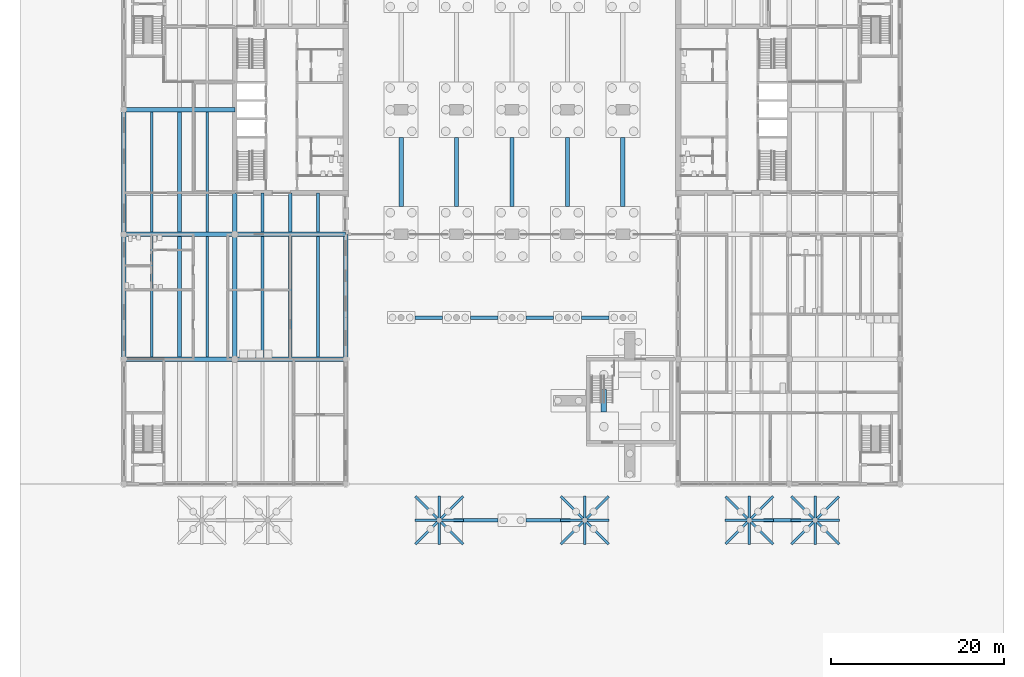
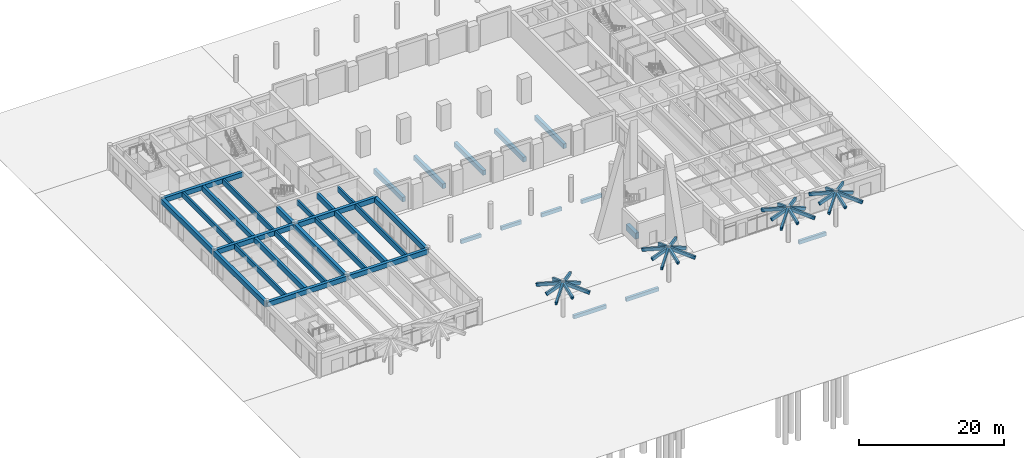
# One storey, part 6 of 28: 67 beams.
"""IFC4 building model written with IfcOpenShell, lengths in metres."""

import ifcopenshell
import ifcopenshell.guid

model = None  # the IFC model being written
_history = None  # IfcOwnerHistory: only IFC2X3 demands one
_inside = {}  # id of a spatial element -> (the spatial element, [elements in it])
_under = {}  # id of a project, library or spatial element -> (it, [spatial elements below it])
_declared = {}  # id of a project -> (the project, [libraries it declares])
_typed = {}  # id of a type object -> (the type object, [elements of that type])
_made_of = {}  # id of a material, layer set ... -> (it, [elements and type objects made of it])


def new_model(schema):
    """Start an empty IFC model of exactly this schema.

    Asked for "IFC4X3", IfcOpenShell would pick the latest addendum, in which some entities
    have other attributes; the version numbers below select the first issue.
    IFC2X3 requires an IfcOwnerHistory on every rooted entity: one is made here for all.
    """
    global model, _history
    if schema == "IFC4X3":
        model = ifcopenshell.file(schema_version=(4, 3, 0, 0))
    else:
        model = ifcopenshell.file(schema=schema)
    _inside.clear()
    _under.clear()
    _declared.clear()
    _typed.clear()
    _made_of.clear()
    _history = None
    if model.schema == "IFC2X3":
        org = make("IfcOrganization", Name="unknown")
        user = make(
            "IfcPersonAndOrganization",
            ThePerson=make("IfcPerson", FamilyName="unknown"),
            TheOrganization=org,
        )
        app = make(
            "IfcApplication",
            ApplicationDeveloper=org,
            Version="unknown",
            ApplicationFullName="unknown",
            ApplicationIdentifier="unknown",
        )
        _history = make(
            "IfcOwnerHistory",
            OwningUser=user,
            OwningApplication=app,
            ChangeAction="ADDED",
            CreationDate=0,
        )
    return model


def make(cls, **values):
    """One entity of the class cls with the attributes given. An attribute that is None is left unset."""
    return model.create_entity(
        cls, **{name: value for name, value in values.items() if value is not None}
    )


def rooted(cls, **values):
    """An entity with a GlobalId (a new one), such as an element, a storey or a relation."""
    return make(cls, GlobalId=ifcopenshell.guid.new(), OwnerHistory=_history, **values)


def si_unit(unit_type, name, prefix=None):
    """IfcSIUnit, for example si_unit("LENGTHUNIT", "METRE", prefix="MILLI")."""
    return make("IfcSIUnit", UnitType=unit_type, Prefix=prefix, Name=name)


def assignment(units):
    """IfcUnitAssignment: the units of a project."""
    return None if units is None else make("IfcUnitAssignment", Units=units)


def point(xyz):
    """IfcCartesianPoint."""
    return None if xyz is None else make("IfcCartesianPoint", Coordinates=xyz)


def direction(xyz):
    """IfcDirection."""
    return None if xyz is None else make("IfcDirection", DirectionRatios=xyz)


def frame(location, z_axis=None, x_axis=None):
    """IfcAxis2Placement3D, a coordinate frame: its origin and axes. An axis left out is left unset."""
    return make(
        "IfcAxis2Placement3D",
        Location=point(location),
        Axis=direction(z_axis),
        RefDirection=direction(x_axis),
    )


def frame_2d(location, x_axis=None):
    """IfcAxis2Placement2D, a coordinate frame in the plane: its origin and x axis."""
    return make(
        "IfcAxis2Placement2D", Location=point(location), RefDirection=direction(x_axis)
    )


def origin():
    """The frame at (0, 0, 0) with its axes left unset."""
    return frame((0.0, 0.0, 0.0))


def origin_2d():
    """The frame at (0, 0) in the plane with its x axis left unset."""
    return frame_2d((0.0, 0.0))


def place(relative_to, where):
    """IfcLocalPlacement: puts the frame where relative to a parent placement (None: the world)."""
    return make(
        "IfcLocalPlacement", PlacementRelTo=relative_to, RelativePlacement=where
    )


def context(
    kind, dimensions, precision=None, world=None, true_north=None, identifier=None
):
    """IfcGeometricRepresentationContext, for example the 3D "Model" context."""
    return make(
        "IfcGeometricRepresentationContext",
        ContextIdentifier=identifier,
        ContextType=kind,
        CoordinateSpaceDimension=dimensions,
        Precision=precision,
        WorldCoordinateSystem=world,
        TrueNorth=true_north,
    )


def subcontext(parent, identifier, kind, view, scale=None):
    """IfcGeometricRepresentationSubContext, for example "Body" below "Model"."""
    return make(
        "IfcGeometricRepresentationSubContext",
        ContextIdentifier=identifier,
        ContextType=kind,
        ParentContext=parent,
        TargetScale=scale,
        TargetView=view,
    )


def project(units=None, contexts=None):
    """IfcProject with its units and contexts."""
    return rooted(
        "IfcProject",
        Name="project",
        RepresentationContexts=contexts,
        UnitsInContext=assignment(units),
    )


def spatial(cls, under=None, at=None, **own):
    """A site, building, storey or space (cls), placed at a placement, below another one or the project."""
    s = rooted(cls, ObjectPlacement=at, **own)
    if under is not None:
        _under.setdefault(under.id(), (under, []))[1].append(s)
    return s


def profile(cls, at=None, kind="AREA", **sizes):
    """A parametric profile (cls). Its sizes go by their IFC names, for example OverallWidth=200.0."""
    return make(cls, ProfileType=kind, Position=at, **sizes)


def rectangle(**sizes):
    """IfcRectangleProfileDef."""
    return profile("IfcRectangleProfileDef", **sizes)


def extrude(swept, where, along, depth):
    """IfcExtrudedAreaSolid: the profile swept, set in the frame where, extruded along a direction by depth."""
    return make(
        "IfcExtrudedAreaSolid",
        SweptArea=swept,
        Position=where,
        ExtrudedDirection=direction(along),
        Depth=depth,
    )


def shape(context_of_items, identifier, shape_type, items):
    """IfcShapeRepresentation: the items that make up one representation, for example the "Body"."""
    return make(
        "IfcShapeRepresentation",
        ContextOfItems=context_of_items,
        RepresentationIdentifier=identifier,
        RepresentationType=shape_type,
        Items=items,
    )


def material(Name=None, Category=None):
    """IfcMaterial."""
    return make("IfcMaterial", Name=Name, Category=Category)


def material_profile(
    of_material, cross_section, Name=None, Category=None, Priority=None
):
    """IfcMaterialProfile: a cross section and its material."""
    return make(
        "IfcMaterialProfile",
        Name=Name,
        Material=of_material,
        Profile=cross_section,
        Priority=Priority,
        Category=Category,
    )


def profile_set(profiles, Name=None, composite=None):
    """IfcMaterialProfileSet."""
    return make(
        "IfcMaterialProfileSet",
        Name=Name,
        MaterialProfiles=profiles,
        CompositeProfile=composite,
    )


def made_of(thing, what):
    """Note that an element or type object is made of a material, layer set ...; save() writes the relation."""
    if what is not None:
        _made_of.setdefault(what.id(), (what, []))[1].append(thing)
    return thing


def type_object(cls, material=None, **own):
    """A type object (cls), such as IfcWallType, which elements share."""
    return made_of(rooted(cls, **own), material)


def element(
    cls,
    number,
    at=None,
    inside=None,
    cuts=None,
    type_object=None,
    material=None,
    context=None,
    identifier="Body",
    shape_type=None,
    held_by="IfcProductDefinitionShape",
    body=None,
    shapes=None,
    **own,
):
    """One element of the class cls, such as IfcWall. Its Tag is "e" and its number.

    at: its placement. inside: the storey or other place that contains it. cuts: it is an
    opening in that element (IfcRelVoidsElement). A single representation is given by context,
    identifier, shape_type and body (its items); several are given by shapes. held_by: the class
    of the entity that holds the representations. save() writes the other relations.
    """
    e = rooted(cls, Tag="e%d" % number, ObjectPlacement=at, **own)
    if body is not None:
        shapes = [shape(context, identifier, shape_type, body)]
    if shapes is not None:
        e.Representation = make(held_by, Representations=shapes)
    if inside is not None:
        _inside.setdefault(inside.id(), (inside, []))[1].append(e)
    if cuts is not None:
        rooted(
            "IfcRelVoidsElement", RelatingBuildingElement=cuts, RelatedOpeningElement=e
        )
    if type_object is not None:
        _typed.setdefault(type_object.id(), (type_object, []))[1].append(e)
    return made_of(e, material)


def aggregate(whole, parts):
    """IfcRelAggregates: a whole, such as a stair, and the parts it consists of."""
    return rooted("IfcRelAggregates", RelatingObject=whole, RelatedObjects=parts)


def save(model, path):
    """Write the relations noted so far, then the file.

    IfcRelAggregates (storeys below a building ...), IfcRelContainedInSpatialStructure (elements
    in a storey), IfcRelDefinesByType, IfcRelAssociatesMaterial and IfcRelDeclares: one each for
    every whole, place, type object, material and project.
    """
    for whole, parts in _under.values():
        aggregate(whole, parts)
    for where, things in _inside.values():
        rooted(
            "IfcRelContainedInSpatialStructure",
            RelatedElements=things,
            RelatingStructure=where,
        )
    for kind, things in _typed.values():
        rooted("IfcRelDefinesByType", RelatedObjects=things, RelatingType=kind)
    for what, things in _made_of.values():
        rooted("IfcRelAssociatesMaterial", RelatedObjects=things, RelatingMaterial=what)
    for by, libraries in _declared.values():
        rooted("IfcRelDeclares", RelatingContext=by, RelatedDefinitions=libraries)
    model.write(path)


model = new_model("IFC4")

# Units and contexts
model_context = context("Model", 3, precision=1e-05, world=origin(), true_north=direction((0.0, 1.0)))
body_context = subcontext(model_context, "Body", "Model", "MODEL_VIEW")
ifc_project = project(units=[si_unit("LENGTHUNIT", "METRE"), si_unit("AREAUNIT", "SQUARE_METRE"), si_unit("VOLUMEUNIT", "CUBIC_METRE"), si_unit("PLANEANGLEUNIT", "RADIAN"), si_unit("MASSUNIT", "GRAM", prefix="KILO")], contexts=[model_context])

# Site, building, storey
site_placement = place(None, origin())
site = spatial("IfcSite", under=ifc_project, at=site_placement, CompositionType="ELEMENT")
building_placement = place(site_placement, origin())
building = spatial("IfcBuilding", under=site, at=building_placement, Name="Fogon Plaza Fire Station and Headquarters Tower", CompositionType="ELEMENT")
storey_placement = place(building_placement, origin())
storey = spatial("IfcBuildingStorey", under=building, at=storey_placement, Name="L00", CompositionType="ELEMENT", Elevation=0.0)

# Beams
ifc_material_1 = material(Name="Concrete C40", Category="concrete")
ifc_material_profile_1 = material_profile(ifc_material_1, rectangle(XDim=0.300048828125, YDim=0.5, at=origin_2d()), Name="RC 300x500")
ifc_profile_set_1 = profile_set([ifc_material_profile_1], Name="Concrete C40")
beam_type_1 = type_object("IfcBeamType", Name="BEAM RC 300x500", PredefinedType="BEAM", material=ifc_profile_set_1)
beam_1_placement = place(storey_placement, frame((36.39990234375, -4.199951171875, 5.6201171875), z_axis=(-0.684036905099, -0.684036905099, -0.253351583623), x_axis=(0.707106781187, -0.707106781187, 0.0)))
element("IfcBeam", 1, at=beam_1_placement, inside=storey, type_object=beam_type_1, Name="beam-L00-U3-1", PredefinedType="BEAM", context=body_context, shape_type="SweptSolid", body=[
    extrude(rectangle(XDim=0.300048828125, YDim=0.5, at=origin_2d()), origin(), (0.0, 0.0, 1.0), 3.947021484375),
])
for number, where, z_axis, x_axis, name in (
    (2, (36.39990234375, -4.199951171875, 5.6201171875), (0.684069814811, -0.684007964014, -0.253340864509), (0.707074812166, 0.707138748762, 0.0), "beam-L00-U3-2"),
    (3, (36.39990234375, -4.199951171875, 5.6201171875), (0.684069814811, 0.684007964014, -0.253340864509), (-0.707074812166, 0.707138748762, 0.0), "beam-L00-U3-3"),
):
    element("IfcBeam", number, at=place(storey_placement, frame(where, z_axis=z_axis, x_axis=x_axis)), inside=storey, type_object=beam_type_1, Name=name, PredefinedType="BEAM", context=body_context, shape_type="SweptSolid", body=[
        extrude(rectangle(XDim=0.300048828125, YDim=0.5, at=origin_2d()), origin(), (0.0, 0.0, 1.0), 3.947265625),
    ])
beam_2_placement = place(storey_placement, frame((36.39990234375, -4.199951171875, 5.6201171875), z_axis=(-0.684036905099, 0.684036905099, -0.253351583623), x_axis=(-0.707106781187, -0.707106781187, 0.0)))
element("IfcBeam", 4, at=beam_2_placement, inside=storey, type_object=beam_type_1, Name="beam-L00-U3-4", PredefinedType="BEAM", context=body_context, shape_type="SweptSolid", body=[
    extrude(rectangle(XDim=0.300048828125, YDim=0.5, at=origin_2d()), origin(), (0.0, 0.0, 1.0), 3.947021484375),
])
beam_3_placement = place(storey_placement, frame((36.39990234375, -4.199951171875, 5.6201171875), z_axis=(0.0, -0.937746714992, -0.347319879248), x_axis=(1.0, 0.0, 0.0)))
element("IfcBeam", 5, at=beam_3_placement, inside=storey, type_object=beam_type_1, Name="beam-L00-U3-5", PredefinedType="BEAM", context=body_context, shape_type="SweptSolid", body=[
    extrude(rectangle(XDim=0.300048828125, YDim=0.5, at=origin_2d()), origin(), (0.0, 0.0, 1.0), 2.879150390625),
])
beam_4_placement = place(storey_placement, frame((36.39990234375, -4.199951171875, 5.6201171875), z_axis=(0.937756942673, 0.0, -0.34729226376), x_axis=(0.0, 1.0, 0.0)))
element("IfcBeam", 6, at=beam_4_placement, inside=storey, type_object=beam_type_1, Name="beam-L00-U3-6", PredefinedType="BEAM", context=body_context, shape_type="SweptSolid", body=[
    extrude(rectangle(XDim=0.300048828125, YDim=0.5, at=origin_2d()), origin(), (0.0, 0.0, 1.0), 2.87939453125),
])
for number, where, z_axis, x_axis, name in (
    (7, (36.39990234375, -4.199951171875, 5.6201171875), (0.0, 0.937746714992, -0.347319879248), (-1.0, 0.0, 0.0), "beam-L00-U3-7"),
    (8, (36.39990234375, -4.199951171875, 5.6201171875), (-0.937746714992, 0.0, -0.347319879248), (0.0, -1.0, 0.0), "beam-L00-U3-8"),
):
    element("IfcBeam", number, at=place(storey_placement, frame(where, z_axis=z_axis, x_axis=x_axis)), inside=storey, type_object=beam_type_1, Name=name, PredefinedType="BEAM", context=body_context, shape_type="SweptSolid", body=[
        extrude(rectangle(XDim=0.300048828125, YDim=0.5, at=origin_2d()), origin(), (0.0, 0.0, 1.0), 2.879150390625),
    ])
for number, where, z_axis, x_axis, name in (
    (9, (53.199951171875, -4.199951171875, 5.6201171875), (-0.684036905099, -0.684036905099, -0.253351583623), (0.707106781187, -0.707106781187, 0.0), "beam-L00-U4-1"),
    (10, (53.199951171875, -4.199951171875, 5.6201171875), (0.684036905099, -0.684036905099, -0.253351583623), (0.707106781187, 0.707106781187, 0.0), "beam-L00-U4-2"),
    (11, (53.199951171875, -4.199951171875, 5.6201171875), (0.684036905099, 0.684036905099, -0.253351583623), (-0.707106781187, 0.707106781187, 0.0), "beam-L00-U4-3"),
    (12, (53.199951171875, -4.199951171875, 5.6201171875), (-0.684036905099, 0.684036905099, -0.253351583623), (-0.707106781187, -0.707106781187, 0.0), "beam-L00-U4-4"),
):
    element("IfcBeam", number, at=place(storey_placement, frame(where, z_axis=z_axis, x_axis=x_axis)), inside=storey, type_object=beam_type_1, Name=name, PredefinedType="BEAM", context=body_context, shape_type="SweptSolid", body=[
        extrude(rectangle(XDim=0.300048828125, YDim=0.5, at=origin_2d()), origin(), (0.0, 0.0, 1.0), 3.947021484375),
    ])
for number, where, z_axis, x_axis, name in (
    (13, (53.199951171875, -4.199951171875, 5.6201171875), (0.0, -0.937746714992, -0.347319879248), (1.0, 0.0, 0.0), "beam-L00-U4-5"),
    (14, (53.199951171875, -4.199951171875, 5.6201171875), (0.937746714992, 0.0, -0.347319879248), (0.0, 1.0, 0.0), "beam-L00-U4-6"),
    (15, (53.199951171875, -4.199951171875, 5.6201171875), (0.0, 0.937746714992, -0.347319879248), (-1.0, 0.0, 0.0), "beam-L00-U4-7"),
    (16, (53.199951171875, -4.199951171875, 5.6201171875), (-0.937746714992, 0.0, -0.347319879248), (0.0, -1.0, 0.0), "beam-L00-U4-8"),
):
    element("IfcBeam", number, at=place(storey_placement, frame(where, z_axis=z_axis, x_axis=x_axis)), inside=storey, type_object=beam_type_1, Name=name, PredefinedType="BEAM", context=body_context, shape_type="SweptSolid", body=[
        extrude(rectangle(XDim=0.300048828125, YDim=0.5, at=origin_2d()), origin(), (0.0, 0.0, 1.0), 2.879150390625),
    ])
for number, where, z_axis, x_axis, name in (
    (17, (72.199951171875, -4.199951171875, 5.6201171875), (-0.684036905099, -0.684036905099, -0.253351583623), (0.707106781187, -0.707106781187, 0.0), "beam-L00-U5-1"),
    (18, (72.199951171875, -4.199951171875, 5.6201171875), (0.684036905099, -0.684036905099, -0.253351583623), (0.707106781187, 0.707106781187, 0.0), "beam-L00-U5-2"),
    (19, (72.199951171875, -4.199951171875, 5.6201171875), (0.684036905099, 0.684036905099, -0.253351583623), (-0.707106781187, 0.707106781187, 0.0), "beam-L00-U5-3"),
    (20, (72.199951171875, -4.199951171875, 5.6201171875), (-0.684036905099, 0.684036905099, -0.253351583623), (-0.707106781187, -0.707106781187, 0.0), "beam-L00-U5-4"),
):
    element("IfcBeam", number, at=place(storey_placement, frame(where, z_axis=z_axis, x_axis=x_axis)), inside=storey, type_object=beam_type_1, Name=name, PredefinedType="BEAM", context=body_context, shape_type="SweptSolid", body=[
        extrude(rectangle(XDim=0.300048828125, YDim=0.5, at=origin_2d()), origin(), (0.0, 0.0, 1.0), 3.947021484375),
    ])
for number, where, z_axis, x_axis, name in (
    (21, (72.199951171875, -4.199951171875, 5.6201171875), (0.0, -0.937746714992, -0.347319879248), (1.0, 0.0, 0.0), "beam-L00-U5-5"),
    (22, (72.199951171875, -4.199951171875, 5.6201171875), (0.937746714992, 0.0, -0.347319879248), (0.0, 1.0, 0.0), "beam-L00-U5-6"),
    (23, (72.199951171875, -4.199951171875, 5.6201171875), (0.0, 0.937746714992, -0.347319879248), (-1.0, 0.0, 0.0), "beam-L00-U5-7"),
    (24, (72.199951171875, -4.199951171875, 5.6201171875), (-0.937746714992, 0.0, -0.347319879248), (0.0, -1.0, 0.0), "beam-L00-U5-8"),
):
    element("IfcBeam", number, at=place(storey_placement, frame(where, z_axis=z_axis, x_axis=x_axis)), inside=storey, type_object=beam_type_1, Name=name, PredefinedType="BEAM", context=body_context, shape_type="SweptSolid", body=[
        extrude(rectangle(XDim=0.300048828125, YDim=0.5, at=origin_2d()), origin(), (0.0, 0.0, 1.0), 2.879150390625),
    ])
for number, where, z_axis, x_axis, name in (
    (25, (79.800048828125, -4.199951171875, 5.6201171875), (-0.684036905099, -0.684036905099, -0.253351583623), (0.707106781187, -0.707106781187, 0.0), "beam-L00-U6-1"),
    (26, (79.800048828125, -4.199951171875, 5.6201171875), (0.684036905099, -0.684036905099, -0.253351583623), (0.707106781187, 0.707106781187, 0.0), "beam-L00-U6-2"),
    (27, (79.800048828125, -4.199951171875, 5.6201171875), (0.684036905099, 0.684036905099, -0.253351583623), (-0.707106781187, 0.707106781187, 0.0), "beam-L00-U6-3"),
    (28, (79.800048828125, -4.199951171875, 5.6201171875), (-0.684036905099, 0.684036905099, -0.253351583623), (-0.707106781187, -0.707106781187, 0.0), "beam-L00-U6-4"),
):
    element("IfcBeam", number, at=place(storey_placement, frame(where, z_axis=z_axis, x_axis=x_axis)), inside=storey, type_object=beam_type_1, Name=name, PredefinedType="BEAM", context=body_context, shape_type="SweptSolid", body=[
        extrude(rectangle(XDim=0.300048828125, YDim=0.5, at=origin_2d()), origin(), (0.0, 0.0, 1.0), 3.947021484375),
    ])
for number, where, z_axis, x_axis, name in (
    (29, (79.800048828125, -4.199951171875, 5.6201171875), (0.0, -0.937746714992, -0.347319879248), (1.0, 0.0, 0.0), "beam-L00-U6-5"),
    (30, (79.800048828125, -4.199951171875, 5.6201171875), (0.937746714992, 0.0, -0.347319879248), (0.0, 1.0, 0.0), "beam-L00-U6-6"),
    (31, (79.800048828125, -4.199951171875, 5.6201171875), (0.0, 0.937746714992, -0.347319879248), (-1.0, 0.0, 0.0), "beam-L00-U6-7"),
    (32, (79.800048828125, -4.199951171875, 5.6201171875), (-0.937746714992, 0.0, -0.347319879248), (0.0, -1.0, 0.0), "beam-L00-U6-8"),
):
    element("IfcBeam", number, at=place(storey_placement, frame(where, z_axis=z_axis, x_axis=x_axis)), inside=storey, type_object=beam_type_1, Name=name, PredefinedType="BEAM", context=body_context, shape_type="SweptSolid", body=[
        extrude(rectangle(XDim=0.300048828125, YDim=0.5, at=origin_2d()), origin(), (0.0, 0.0, 1.0), 2.879150390625),
    ])
ifc_material_2 = material(Name="Concrete C40", Category="concrete")
ifc_material_profile_2 = material_profile(ifc_material_2, rectangle(XDim=0.5, YDim=0.800048828125, at=origin_2d()), Name="RC 500x800")
ifc_profile_set_2 = profile_set([ifc_material_profile_2], Name="Concrete C40")
beam_type_2 = type_object("IfcBeamType", Name="BEAM RC 500x800", PredefinedType="BEAM", material=ifc_profile_set_2)
for number, where, z_axis, x_axis, name in (
    (33, (0.0, 14.39990234375, 3.5), (1.0, 0.0, 0.0), (0.0, 1.0, 0.0), "beam-L00-005"),
    (34, (12.800048828125, 14.39990234375, 3.5), (1.0, 0.0, 0.0), (0.0, 1.0, 0.0), "beam-L00-007"),
    (35, (0.0, 28.800048828125, 3.5), (1.0, 0.0, 0.0), (0.0, 1.0, 0.0), "beam-L00-009"),
    (36, (12.800048828125, 28.800048828125, 3.5), (1.0, 0.0, 0.0), (0.0, 1.0, 0.0), "beam-L00-011"),
    (37, (0.0, 43.199951171875, 3.5), (1.0, 0.0, 0.0), (0.0, 1.0, 0.0), "beam-L00-013"),
):
    element("IfcBeam", number, at=place(storey_placement, frame(where, z_axis=z_axis, x_axis=x_axis)), inside=storey, type_object=beam_type_2, Name=name, PredefinedType="BEAM", context=body_context, shape_type="SweptSolid", body=[
        extrude(rectangle(XDim=0.5, YDim=0.800048828125, at=origin_2d()), origin(), (0.0, 0.0, 1.0), 12.800048828125),
    ])
ifc_material_3 = material(Name="Concrete C40", Category="concrete")
ifc_material_profile_3 = material_profile(ifc_material_3, rectangle(XDim=0.5, YDim=0.89990234375, at=origin_2d()), Name="RC 500x900")
ifc_profile_set_3 = profile_set([ifc_material_profile_3], Name="Concrete C40")
beam_type_3 = type_object("IfcBeamType", Name="BEAM RC 500x900", PredefinedType="BEAM", material=ifc_profile_set_3)
beam_5_placement = place(storey_placement, frame((0.0, 14.39990234375, 3.449951171875), z_axis=(0.0, 1.0, 0.0), x_axis=(-1.0, 0.0, 0.0)))
element("IfcBeam", 38, at=beam_5_placement, inside=storey, type_object=beam_type_3, Name="beam-L00-021", PredefinedType="BEAM", context=body_context, shape_type="SweptSolid", body=[
    extrude(rectangle(XDim=0.5, YDim=0.89990234375, at=origin_2d()), origin(), (0.0, 0.0, 1.0), 14.400146484375),
])
beam_6_placement = place(storey_placement, frame((0.0, 28.800048828125, 3.449951171875), z_axis=(0.0, 1.0, 0.0), x_axis=(-1.0, 0.0, 0.0)))
element("IfcBeam", 39, at=beam_6_placement, inside=storey, type_object=beam_type_3, Name="beam-L00-023", PredefinedType="BEAM", context=body_context, shape_type="SweptSolid", body=[
    extrude(rectangle(XDim=0.5, YDim=0.89990234375, at=origin_2d()), origin(), (0.0, 0.0, 1.0), 14.39990234375),
])
for number, where, z_axis, x_axis, name in (
    (40, (12.800048828125, 14.39990234375, 3.449951171875), (0.0, 1.0, 0.0), (-1.0, 0.0, 0.0), "beam-L00-029"),
    (41, (25.60009765625, 14.39990234375, 3.449951171875), (0.0, 1.0, 0.0), (-1.0, 0.0, 0.0), "beam-L00-033"),
):
    element("IfcBeam", number, at=place(storey_placement, frame(where, z_axis=z_axis, x_axis=x_axis)), inside=storey, type_object=beam_type_3, Name=name, PredefinedType="BEAM", context=body_context, shape_type="SweptSolid", body=[
        extrude(rectangle(XDim=0.5, YDim=0.89990234375, at=origin_2d()), origin(), (0.0, 0.0, 1.0), 14.400146484375),
    ])
ifc_material_4 = material(Name="Concrete C40", Category="concrete")
ifc_material_profile_4 = material_profile(ifc_material_4, rectangle(XDim=0.5, YDim=0.89990234375, at=origin_2d()), Name="RC 500x900")
ifc_profile_set_4 = profile_set([ifc_material_profile_4], Name="Concrete C40")
beam_type_4 = type_object("IfcBeamType", Name="BEAM RC 500x900 SPAN 3.0 TO 4.8 M", PredefinedType="BEAM", material=ifc_profile_set_4)
beam_7_placement = place(storey_placement, frame((12.800048828125, 28.800048828125, 3.449951171875), z_axis=(0.0, 1.0, 0.0), x_axis=(-1.0, 0.0, 0.0)))
element("IfcBeam", 42, at=beam_7_placement, inside=storey, type_object=beam_type_4, Name="beam-L00-035", PredefinedType="BEAM", context=body_context, shape_type="SweptSolid", body=[
    extrude(rectangle(XDim=0.5, YDim=0.89990234375, at=origin_2d()), origin(), (0.0, 0.0, 1.0), 4.800048828125),
])
ifc_material_5 = material(Name="Concrete C40", Category="concrete")
ifc_material_profile_5 = material_profile(ifc_material_5, rectangle(XDim=0.60009765625, YDim=1.0, at=origin_2d()), Name="RC 600x1000")
ifc_profile_set_5 = profile_set([ifc_material_profile_5], Name="Concrete C40")
beam_type_5 = type_object("IfcBeamType", Name="BEAM RC 600x1000", PredefinedType="BEAM", material=ifc_profile_set_5)
beam_8_placement = place(storey_placement, frame((55.39990234375, 8.300048828125, -0.75), z_axis=(0.0, 1.0, 0.0), x_axis=(-1.0, 0.0, 0.0)))
element("IfcBeam", 43, at=beam_8_placement, inside=storey, type_object=beam_type_5, Name="beam-L00-TD3", PredefinedType="BEAM", context=body_context, shape_type="SweptSolid", body=[
    extrude(rectangle(XDim=0.60009765625, YDim=1.0, at=origin_2d()), origin(), (0.0, 0.0, 1.0), 2.599853515625),
])
ifc_material_6 = material(Name="Concrete C40", Category="concrete")
ifc_material_profile_6 = material_profile(ifc_material_6, rectangle(XDim=0.39990234375, YDim=0.60009765625, at=origin_2d()), Name="RC 400x600")
ifc_profile_set_6 = profile_set([ifc_material_profile_6], Name="Concrete C40")
beam_type_6 = type_object("IfcBeamType", Name="GROUND TIE RC 400x600", PredefinedType="BEAM", material=ifc_profile_set_6)
for number, where, z_axis, x_axis, name in (
    (44, (33.60009765625, 19.199951171875, -0.699951171875), (1.0, 0.0, 0.0), (0.0, 1.0, 0.0), "beam-L00-TB017"),
    (45, (40.0, 19.199951171875, -0.699951171875), (1.0, 0.0, 0.0), (0.0, 1.0, 0.0), "beam-L00-TB018"),
):
    element("IfcBeam", number, at=place(storey_placement, frame(where, z_axis=z_axis, x_axis=x_axis)), inside=storey, type_object=beam_type_6, Name=name, PredefinedType="BEAM", context=body_context, shape_type="SweptSolid", body=[
        extrude(rectangle(XDim=0.39990234375, YDim=0.60009765625, at=origin_2d()), origin(), (0.0, 0.0, 1.0), 3.199951171875),
    ])
beam_9_placement = place(storey_placement, frame((46.39990234375, 19.199951171875, -0.699951171875), z_axis=(1.0, 0.0, 0.0), x_axis=(0.0, 1.0, 0.0)))
element("IfcBeam", 46, at=beam_9_placement, inside=storey, type_object=beam_type_6, Name="beam-L00-TB019", PredefinedType="BEAM", context=body_context, shape_type="SweptSolid", body=[
    extrude(rectangle(XDim=0.39990234375, YDim=0.60009765625, at=origin_2d()), origin(), (0.0, 0.0, 1.0), 3.2001953125),
])
beam_10_placement = place(storey_placement, frame((52.800048828125, 19.199951171875, -0.699951171875), z_axis=(1.0, 0.0, 0.0), x_axis=(0.0, 1.0, 0.0)))
element("IfcBeam", 47, at=beam_10_placement, inside=storey, type_object=beam_type_6, Name="beam-L00-TB020", PredefinedType="BEAM", context=body_context, shape_type="SweptSolid", body=[
    extrude(rectangle(XDim=0.39990234375, YDim=0.60009765625, at=origin_2d()), origin(), (0.0, 0.0, 1.0), 3.199951171875),
])
ifc_material_7 = material(Name="Concrete C40", Category="concrete")
ifc_material_profile_7 = material_profile(ifc_material_7, rectangle(XDim=0.5, YDim=0.800048828125, at=origin_2d()), Name="RC 500x800")
ifc_profile_set_7 = profile_set([ifc_material_profile_7], Name="Concrete C40")
beam_type_7 = type_object("IfcBeamType", Name="GROUND TIE RC 500x800", PredefinedType="BEAM", material=ifc_profile_set_7)
for number, where, z_axis, x_axis, name in (
    (48, (32.0, 32.0, -0.800048828125), (0.0, 1.0, 0.0), (-1.0, 0.0, 0.0), "beam-L00-TB001"),
    (49, (38.39990234375, 32.0, -0.800048828125), (0.0, 1.0, 0.0), (-1.0, 0.0, 0.0), "beam-L00-TB003"),
    (50, (44.800048828125, 32.0, -0.800048828125), (0.0, 1.0, 0.0), (-1.0, 0.0, 0.0), "beam-L00-TB005"),
    (51, (51.199951171875, 32.0, -0.800048828125), (0.0, 1.0, 0.0), (-1.0, 0.0, 0.0), "beam-L00-TB007"),
    (52, (57.60009765625, 32.0, -0.800048828125), (0.0, 1.0, 0.0), (-1.0, 0.0, 0.0), "beam-L00-TB009"),
):
    element("IfcBeam", number, at=place(storey_placement, frame(where, z_axis=z_axis, x_axis=x_axis)), inside=storey, type_object=beam_type_7, Name=name, PredefinedType="BEAM", context=body_context, shape_type="SweptSolid", body=[
        extrude(rectangle(XDim=0.5, YDim=0.800048828125, at=origin_2d()), origin(), (0.0, 0.0, 1.0), 8.0),
    ])
ifc_material_8 = material(Name="Concrete C40", Category="concrete")
ifc_material_profile_8 = material_profile(ifc_material_8, rectangle(XDim=0.300048828125, YDim=0.89990234375, at=origin_2d()), Name="RC 300x900")
ifc_profile_set_8 = profile_set([ifc_material_profile_8], Name="Concrete C40")
beam_type_8 = type_object("IfcBeamType", Name="JOIST RC 300x900", PredefinedType="JOIST", material=ifc_profile_set_8)
beam_11_placement = place(storey_placement, frame((3.199951171875, 14.64990234375, 3.449951171875), z_axis=(0.0, 1.0, 0.0), x_axis=(-1.0, 0.0, 0.0)))
element("IfcBeam", 53, at=beam_11_placement, inside=storey, type_object=beam_type_8, Name="beam-L00-055", PredefinedType="JOIST", context=body_context, shape_type="SweptSolid", body=[
    extrude(rectangle(XDim=0.300048828125, YDim=0.89990234375, at=origin_2d()), origin(), (0.0, 0.0, 1.0), 13.900146484375),
])
beam_12_placement = place(storey_placement, frame((3.199951171875, 29.050048828125, 3.449951171875), z_axis=(0.0, 1.0, 0.0), x_axis=(-1.0, 0.0, 0.0)))
element("IfcBeam", 54, at=beam_12_placement, inside=storey, type_object=beam_type_8, Name="beam-L00-057", PredefinedType="JOIST", context=body_context, shape_type="SweptSolid", body=[
    extrude(rectangle(XDim=0.300048828125, YDim=0.89990234375, at=origin_2d()), origin(), (0.0, 0.0, 1.0), 13.89990234375),
])
beam_13_placement = place(storey_placement, frame((9.60009765625, 14.64990234375, 3.449951171875), z_axis=(0.0, 1.0, 0.0), x_axis=(-1.0, 0.0, 0.0)))
element("IfcBeam", 55, at=beam_13_placement, inside=storey, type_object=beam_type_8, Name="beam-L00-061", PredefinedType="JOIST", context=body_context, shape_type="SweptSolid", body=[
    extrude(rectangle(XDim=0.300048828125, YDim=0.89990234375, at=origin_2d()), origin(), (0.0, 0.0, 1.0), 13.900146484375),
])
beam_14_placement = place(storey_placement, frame((9.60009765625, 29.050048828125, 3.449951171875), z_axis=(0.0, 1.0, 0.0), x_axis=(-1.0, 0.0, 0.0)))
element("IfcBeam", 56, at=beam_14_placement, inside=storey, type_object=beam_type_8, Name="beam-L00-063", PredefinedType="JOIST", context=body_context, shape_type="SweptSolid", body=[
    extrude(rectangle(XDim=0.300048828125, YDim=0.89990234375, at=origin_2d()), origin(), (0.0, 0.0, 1.0), 13.89990234375),
])
for number, where, z_axis, x_axis, name in (
    (57, (16.0, 14.64990234375, 3.449951171875), (0.0, 1.0, 0.0), (-1.0, 0.0, 0.0), "beam-L00-069"),
    (58, (22.39990234375, 14.64990234375, 3.449951171875), (0.0, 1.0, 0.0), (-1.0, 0.0, 0.0), "beam-L00-077"),
):
    element("IfcBeam", number, at=place(storey_placement, frame(where, z_axis=z_axis, x_axis=x_axis)), inside=storey, type_object=beam_type_8, Name=name, PredefinedType="JOIST", context=body_context, shape_type="SweptSolid", body=[
        extrude(rectangle(XDim=0.300048828125, YDim=0.89990234375, at=origin_2d()), origin(), (0.0, 0.0, 1.0), 13.900146484375),
    ])
ifc_material_9 = material(Name="Concrete C40", Category="concrete")
ifc_material_profile_9 = material_profile(ifc_material_9, rectangle(XDim=0.300048828125, YDim=0.89990234375, at=origin_2d()), Name="RC 300x900")
ifc_profile_set_9 = profile_set([ifc_material_profile_9], Name="Concrete C40")
beam_type_9 = type_object("IfcBeamType", Name="JOIST RC 300x900 SPAN 3.0 TO 4.8 M", PredefinedType="JOIST", material=ifc_profile_set_9)
for number, where, z_axis, x_axis, name in (
    (59, (16.0, 29.050048828125, 3.449951171875), (0.0, 1.0, 0.0), (-1.0, 0.0, 0.0), "beam-L00-071"),
    (60, (22.39990234375, 29.050048828125, 3.449951171875), (0.0, 1.0, 0.0), (-1.0, 0.0, 0.0), "beam-L00-079"),
):
    element("IfcBeam", number, at=place(storey_placement, frame(where, z_axis=z_axis, x_axis=x_axis)), inside=storey, type_object=beam_type_9, Name=name, PredefinedType="JOIST", context=body_context, shape_type="SweptSolid", body=[
        extrude(rectangle(XDim=0.300048828125, YDim=0.89990234375, at=origin_2d()), origin(), (0.0, 0.0, 1.0), 4.550048828125),
    ])
ifc_material_10 = material(Name="Concrete C40", Category="concrete")
ifc_material_profile_10 = material_profile(ifc_material_10, rectangle(XDim=0.449951171875, YDim=0.89990234375, at=origin_2d()), Name="RC 450x900")
ifc_profile_set_10 = profile_set([ifc_material_profile_10], Name="Concrete C40")
beam_type_10 = type_object("IfcBeamType", Name="JOIST RC 450x900", PredefinedType="JOIST", material=ifc_profile_set_10)
beam_15_placement = place(storey_placement, frame((6.39990234375, 14.64990234375, 3.449951171875), z_axis=(0.0, 1.0, 0.0), x_axis=(-1.0, 0.0, 0.0)))
element("IfcBeam", 61, at=beam_15_placement, inside=storey, type_object=beam_type_10, Name="beam-L00-041", PredefinedType="JOIST", context=body_context, shape_type="SweptSolid", body=[
    extrude(rectangle(XDim=0.449951171875, YDim=0.89990234375, at=origin_2d()), origin(), (0.0, 0.0, 1.0), 13.900146484375),
])
beam_16_placement = place(storey_placement, frame((6.39990234375, 29.050048828125, 3.449951171875), z_axis=(0.0, 1.0, 0.0), x_axis=(-1.0, 0.0, 0.0)))
element("IfcBeam", 62, at=beam_16_placement, inside=storey, type_object=beam_type_10, Name="beam-L00-043", PredefinedType="JOIST", context=body_context, shape_type="SweptSolid", body=[
    extrude(rectangle(XDim=0.449951171875, YDim=0.89990234375, at=origin_2d()), origin(), (0.0, 0.0, 1.0), 13.89990234375),
])
beam_17_placement = place(storey_placement, frame((19.199951171875, 14.64990234375, 3.449951171875), z_axis=(0.0, 1.0, 0.0), x_axis=(-1.0, 0.0, 0.0)))
element("IfcBeam", 63, at=beam_17_placement, inside=storey, type_object=beam_type_10, Name="beam-L00-049", PredefinedType="JOIST", context=body_context, shape_type="SweptSolid", body=[
    extrude(rectangle(XDim=0.449951171875, YDim=0.89990234375, at=origin_2d()), origin(), (0.0, 0.0, 1.0), 13.900146484375),
])
ifc_material_11 = material(Name="Concrete C40", Category="concrete")
ifc_material_profile_11 = material_profile(ifc_material_11, rectangle(XDim=0.449951171875, YDim=0.89990234375, at=origin_2d()), Name="RC 450x900")
ifc_profile_set_11 = profile_set([ifc_material_profile_11], Name="Concrete C40")
beam_type_11 = type_object("IfcBeamType", Name="JOIST RC 450x900 SPAN 3.0 TO 4.8 M", PredefinedType="JOIST", material=ifc_profile_set_11)
beam_18_placement = place(storey_placement, frame((19.199951171875, 29.050048828125, 3.449951171875), z_axis=(0.0, 1.0, 0.0), x_axis=(-1.0, 0.0, 0.0)))
element("IfcBeam", 64, at=beam_18_placement, inside=storey, type_object=beam_type_11, Name="beam-L00-051", PredefinedType="JOIST", context=body_context, shape_type="SweptSolid", body=[
    extrude(rectangle(XDim=0.449951171875, YDim=0.89990234375, at=origin_2d()), origin(), (0.0, 0.0, 1.0), 4.550048828125),
])
ifc_material_12 = material(Name="Concrete C40", Category="concrete")
ifc_material_profile_12 = material_profile(ifc_material_12, rectangle(XDim=0.39990234375, YDim=0.60009765625, at=origin_2d()), Name="RC 400x600")
ifc_profile_set_12 = profile_set([ifc_material_profile_12], Name="Concrete C40")
beam_type_12 = type_object("IfcBeamType", Name="UMBRELLA TIE RC 400x600", PredefinedType="BEAM", material=ifc_profile_set_12)
beam_19_placement = place(storey_placement, frame((38.050048828125, -4.199951171875, -0.699951171875), z_axis=(1.0, 0.0, 0.0), x_axis=(0.0, 1.0, 0.0)))
element("IfcBeam", 65, at=beam_19_placement, inside=storey, type_object=beam_type_12, Name="beam-L00-TB022", PredefinedType="BEAM", context=body_context, shape_type="SweptSolid", body=[
    extrude(rectangle(XDim=0.39990234375, YDim=0.60009765625, at=origin_2d()), origin(), (0.0, 0.0, 1.0), 5.14990234375),
])
beam_20_placement = place(storey_placement, frame((46.39990234375, -4.199951171875, -0.699951171875), z_axis=(1.0, 0.0, 0.0), x_axis=(0.0, 1.0, 0.0)))
element("IfcBeam", 66, at=beam_20_placement, inside=storey, type_object=beam_type_12, Name="beam-L00-TB023", PredefinedType="BEAM", context=body_context, shape_type="SweptSolid", body=[
    extrude(rectangle(XDim=0.39990234375, YDim=0.60009765625, at=origin_2d()), origin(), (0.0, 0.0, 1.0), 5.150146484375),
])
beam_21_placement = place(storey_placement, frame((73.85009765625, -4.199951171875, -0.699951171875), z_axis=(1.0, 0.0, 0.0), x_axis=(0.0, 1.0, 0.0)))
element("IfcBeam", 67, at=beam_21_placement, inside=storey, type_object=beam_type_12, Name="beam-L00-TB024", PredefinedType="BEAM", context=body_context, shape_type="SweptSolid", body=[
    extrude(rectangle(XDim=0.39990234375, YDim=0.60009765625, at=origin_2d()), origin(), (0.0, 0.0, 1.0), 4.2998046875),
])

save(model, "model.ifc")
